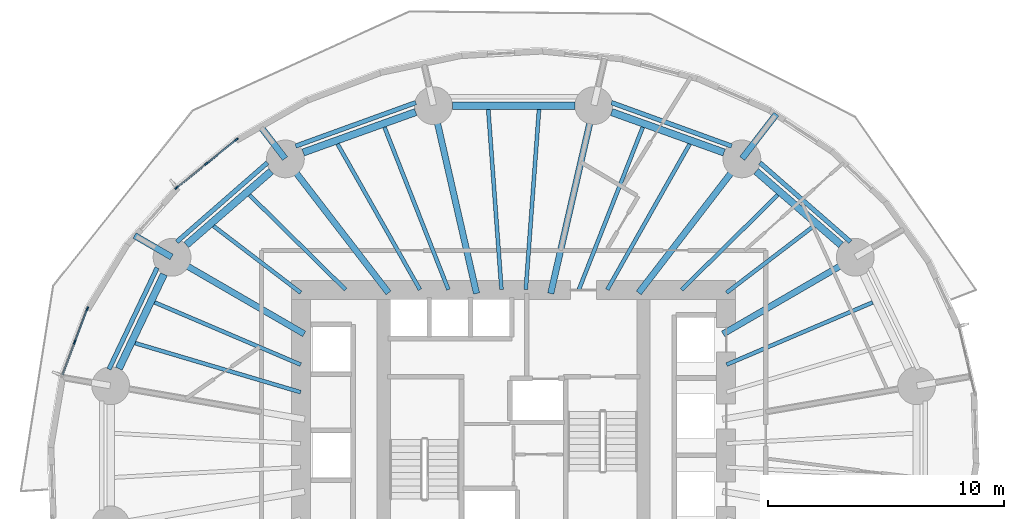
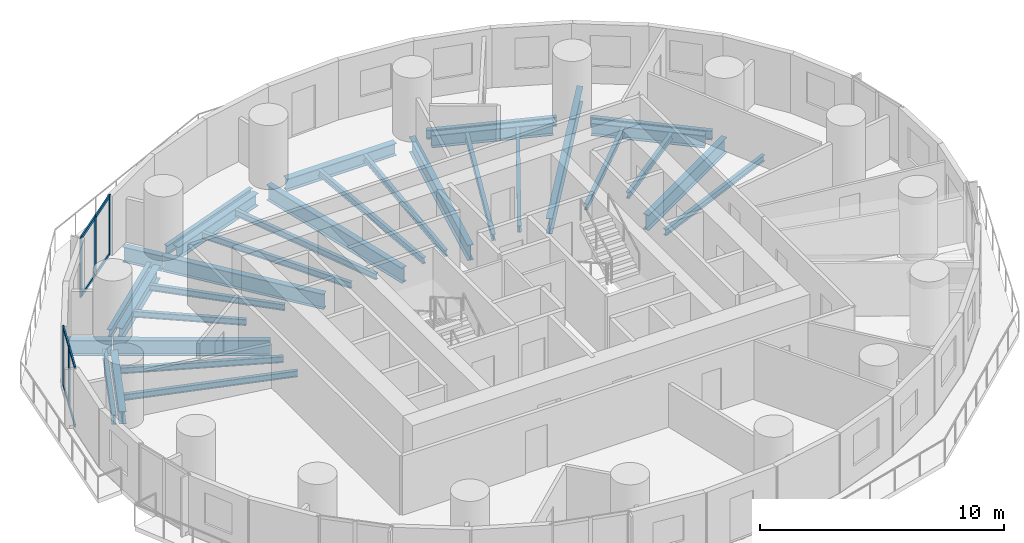
# One storey, part 4 of 14: 33 beams, 13 members, 2 elements without a shape of their own.
"""IFC4 building model written with IfcOpenShell, lengths in metres."""

from ifc_helpers import new_model, si_unit, direction, frame, origin, origin_2d, place, context, subcontext, project, spatial, rectangle, i_section, extrude, material, material_profile, profile_set, type_object, element, aggregate, save


model = new_model("IFC4")

# Units and contexts
model_context = context("Model", 3, precision=1e-05, world=origin(), true_north=direction((0.0, 1.0)))
body_context = subcontext(model_context, "Body", "Model", "MODEL_VIEW")
ifc_project = project(units=[si_unit("LENGTHUNIT", "METRE"), si_unit("AREAUNIT", "SQUARE_METRE"), si_unit("VOLUMEUNIT", "CUBIC_METRE"), si_unit("PLANEANGLEUNIT", "RADIAN"), si_unit("MASSUNIT", "GRAM", prefix="KILO")], contexts=[model_context])

# Site, building, storey
site_placement = place(None, origin())
site = spatial("IfcSite", under=ifc_project, at=site_placement, CompositionType="ELEMENT")
building_placement = place(site_placement, origin())
building = spatial("IfcBuilding", under=site, at=building_placement, Name="Veldorim Arch Residences", CompositionType="ELEMENT")
storey_placement = place(building_placement, frame((0.0, 0.0, 37.60009765625)))
storey = spatial("IfcBuildingStorey", under=building, at=storey_placement, Name="L10", CompositionType="ELEMENT", Elevation=37.60009765625)

# Beams
ifc_material_1 = material(Name="Steel S355", Category="steel")
ifc_material_profile_1 = material_profile(ifc_material_1, i_section(OverallWidth=0.30712890625, OverallDepth=0.6201171875, WebThickness=0.01416015625, FlangeThickness=0.023681640625, at=origin_2d()), Name="UB610x305x179")
ifc_profile_set_1 = profile_set([ifc_material_profile_1], Name="Steel S355")
beam_type_1 = type_object("IfcBeamType", Name="Structural Steel Beam UB610x305x179", PredefinedType="BEAM", material=ifc_profile_set_1)
beam_1_placement = place(storey_placement, frame((45.86328125, 32.913330078125, -0.55029296875), z_axis=(-0.755235029424, 0.655454079499, 0.0), x_axis=(-0.655454079499, -0.755235029424, 0.0)))
element("IfcBeam", 1, at=beam_1_placement, inside=storey, type_object=beam_type_1, Name="L10 perimeter ring tie beam 02", PredefinedType="BEAM", context=body_context, shape_type="SweptSolid", body=[
    extrude(i_section(OverallWidth=0.30712890625, OverallDepth=0.6201171875, WebThickness=0.01416015625, FlangeThickness=0.023681640625, at=origin_2d()), origin(), (0.0, 0.0, 1.0), 4.756591796875),
])
beam_2_placement = place(storey_placement, frame((40.9140625, 36.82568359375, -0.55029296875), z_axis=(-0.94103540046, 0.338308106732, 0.0), x_axis=(-0.338308106732, -0.94103540046, 0.0)))
element("IfcBeam", 2, at=beam_2_placement, inside=storey, type_object=beam_type_1, Name="L10 perimeter ring tie beam 03", PredefinedType="BEAM", context=body_context, shape_type="SweptSolid", body=[
    extrude(i_section(OverallWidth=0.30712890625, OverallDepth=0.6201171875, WebThickness=0.01416015625, FlangeThickness=0.023681640625, at=origin_2d()), origin(), (0.0, 0.0, 1.0), 5.065185546875),
])
beam_3_placement = place(storey_placement, frame((34.594482421875, 38.809814453125, -0.55029296875), z_axis=(-1.0, 0.0, 0.0), x_axis=(0.0, -1.0, 0.0)))
element("IfcBeam", 3, at=beam_3_placement, inside=storey, type_object=beam_type_1, Name="L10 perimeter ring tie beam 04", PredefinedType="BEAM", context=body_context, shape_type="SweptSolid", body=[
    extrude(i_section(OverallWidth=0.30712890625, OverallDepth=0.6201171875, WebThickness=0.01416015625, FlangeThickness=0.023681640625, at=origin_2d()), origin(), (0.0, 0.0, 1.0), 5.18896484375),
])
beam_4_placement = place(storey_placement, frame((27.8525390625, 38.539306640625, -0.55029296875), z_axis=(-0.94103540046, -0.338308106732, 0.0), x_axis=(0.338308106732, -0.94103540046, 0.0)))
element("IfcBeam", 4, at=beam_4_placement, inside=storey, type_object=beam_type_1, Name="L10 perimeter ring tie beam 05", PredefinedType="BEAM", context=body_context, shape_type="SweptSolid", body=[
    extrude(i_section(OverallWidth=0.30712890625, OverallDepth=0.6201171875, WebThickness=0.01416015625, FlangeThickness=0.023681640625, at=origin_2d()), origin(), (0.0, 0.0, 1.0), 5.065185546875),
])
beam_5_placement = place(storey_placement, frame((21.72900390625, 36.031005859375, -0.55029296875), z_axis=(-0.755235029424, -0.655454079499, 0.0), x_axis=(0.655454079499, -0.755235029424, 0.0)))
element("IfcBeam", 5, at=beam_5_placement, inside=storey, type_object=beam_type_1, Name="L10 perimeter ring tie beam 06", PredefinedType="BEAM", context=body_context, shape_type="SweptSolid", body=[
    extrude(i_section(OverallWidth=0.30712890625, OverallDepth=0.6201171875, WebThickness=0.01416015625, FlangeThickness=0.023681640625, at=origin_2d()), origin(), (0.0, 0.0, 1.0), 4.756591796875),
])
beam_6_placement = place(storey_placement, frame((17.187744140625, 31.6669921875, -0.55029296875), z_axis=(-0.430786696724, -0.902453778276, 0.0), x_axis=(0.902453778276, -0.430786696724, 0.0)))
element("IfcBeam", 6, at=beam_6_placement, inside=storey, type_object=beam_type_1, Name="L10 perimeter ring tie beam 07", PredefinedType="BEAM", context=body_context, shape_type="SweptSolid", body=[
    extrude(i_section(OverallWidth=0.30712890625, OverallDepth=0.6201171875, WebThickness=0.01416015625, FlangeThickness=0.023681640625, at=origin_2d()), origin(), (0.0, 0.0, 1.0), 4.431396484375),
])
ifc_material_2 = material(Name="Steel S355", Category="steel")
ifc_material_profile_2 = material_profile(ifc_material_2, i_section(OverallWidth=0.26806640625, OverallDepth=0.769775390625, WebThickness=0.015625, FlangeThickness=0.025390625, at=origin_2d()), Name="UB762x267x197")
ifc_profile_set_2 = profile_set([ifc_material_profile_2], Name="Steel S355")
beam_type_2 = type_object("IfcBeamType", Name="Structural Steel GIRDER UB762x267x197", PredefinedType="USERDEFINED", material=ifc_profile_set_2)
beam_7_placement = place(storey_placement, frame((40.8701171875, 29.1435546875, -0.625), z_axis=(0.865088348752, 0.501619525989, 0.0), x_axis=(-0.501619525989, 0.865088348752, 0.0)))
element("IfcBeam", 7, at=beam_7_placement, inside=storey, type_object=beam_type_2, Name="L10 radial floor girder 02", ObjectType="GIRDER", PredefinedType="USERDEFINED", context=body_context, shape_type="SweptSolid", body=[
    extrude(i_section(OverallWidth=0.26806640625, OverallDepth=0.769775390625, WebThickness=0.015625, FlangeThickness=0.025390625, at=origin_2d()), origin(), (0.0, 0.0, 1.0), 6.4501953125),
])
beam_8_placement = place(storey_placement, frame((37.298095703125, 30.881103515625, -0.625), z_axis=(0.610082439157, 0.792337943956, 0.0), x_axis=(-0.792337943956, 0.610082439157, 0.0)))
element("IfcBeam", 8, at=beam_8_placement, inside=storey, type_object=beam_type_2, Name="L10 radial floor girder 03", ObjectType="GIRDER", PredefinedType="USERDEFINED", context=body_context, shape_type="SweptSolid", body=[
    extrude(i_section(OverallWidth=0.26806640625, OverallDepth=0.769775390625, WebThickness=0.015625, FlangeThickness=0.025390625, at=origin_2d()), origin(), (0.0, 0.0, 1.0), 7.14111328125),
])
beam_9_placement = place(storey_placement, frame((41.67919921875, 36.571044921875, -0.625), z_axis=(0.610028458485, 0.792379504933, 0.0), x_axis=(-0.792379504933, 0.610028458485, 0.0)))
element("IfcBeam", 9, at=beam_9_placement, inside=storey, type_object=beam_type_2, Name="L10 radial edge cantilever girder 03", ObjectType="GIRDER", PredefinedType="USERDEFINED", context=body_context, shape_type="SweptSolid", body=[
    extrude(i_section(OverallWidth=0.26806640625, OverallDepth=0.769775390625, WebThickness=0.015625, FlangeThickness=0.025390625, at=origin_2d()), origin(), (0.0, 0.0, 1.0), 2.37646484375),
])
for number, where, z_axis, x_axis, name in (
    (10, (33.571044921875, 30.853759765625, -0.625), (0.223411766201, 0.974724157248, 0.0), (-0.974724157248, 0.223411766201, 0.0), "L10 radial floor girder 04"),
    (11, (30.428955078125, 30.853759765625, -0.625), (-0.223411766201, 0.974724157248, 0.0), (-0.974724157248, -0.223411766201, 0.0), "L10 radial floor girder 05"),
):
    element("IfcBeam", number, at=place(storey_placement, frame(where, z_axis=z_axis, x_axis=x_axis)), inside=storey, type_object=beam_type_2, Name=name, ObjectType="GIRDER", PredefinedType="USERDEFINED", context=body_context, shape_type="SweptSolid", body=[
        extrude(i_section(OverallWidth=0.26806640625, OverallDepth=0.769775390625, WebThickness=0.015625, FlangeThickness=0.025390625, at=origin_2d()), origin(), (0.0, 0.0, 1.0), 8.142333984375),
    ])
beam_10_placement = place(storey_placement, frame((26.701904296875, 30.881103515625, -0.625), z_axis=(-0.610082439157, 0.792337943956, 0.0), x_axis=(-0.792337943956, -0.610082439157, 0.0)))
element("IfcBeam", 12, at=beam_10_placement, inside=storey, type_object=beam_type_2, Name="L10 radial floor girder 06", ObjectType="GIRDER", PredefinedType="USERDEFINED", context=body_context, shape_type="SweptSolid", body=[
    extrude(i_section(OverallWidth=0.26806640625, OverallDepth=0.769775390625, WebThickness=0.015625, FlangeThickness=0.025390625, at=origin_2d()), origin(), (0.0, 0.0, 1.0), 7.14111328125),
])
beam_11_placement = place(storey_placement, frame((22.32080078125, 36.571044921875, -0.625), z_axis=(-0.610051931938, 0.792361432895, 0.0), x_axis=(-0.792361432895, -0.610051931938, 0.0)))
element("IfcBeam", 13, at=beam_11_placement, inside=storey, type_object=beam_type_2, Name="L10 radial edge cantilever girder 06", ObjectType="GIRDER", PredefinedType="USERDEFINED", context=body_context, shape_type="SweptSolid", body=[
    extrude(i_section(OverallWidth=0.26806640625, OverallDepth=0.769775390625, WebThickness=0.015625, FlangeThickness=0.025390625, at=origin_2d()), origin(), (0.0, 0.0, 1.0), 1.728759765625),
])
beam_12_placement = place(storey_placement, frame((23.1298828125, 29.1435546875, -0.625), z_axis=(-0.865088348752, 0.501619525989, 0.0), x_axis=(-0.501619525989, -0.865088348752, 0.0)))
element("IfcBeam", 14, at=beam_12_placement, inside=storey, type_object=beam_type_2, Name="L10 radial floor girder 07", ObjectType="GIRDER", PredefinedType="USERDEFINED", context=body_context, shape_type="SweptSolid", body=[
    extrude(i_section(OverallWidth=0.26806640625, OverallDepth=0.769775390625, WebThickness=0.015625, FlangeThickness=0.025390625, at=origin_2d()), origin(), (0.0, 0.0, 1.0), 6.4501953125),
])
beam_13_placement = place(storey_placement, frame((17.51513671875, 32.399169921875, -0.625), z_axis=(-0.86511292658, 0.501577136904, 0.0), x_axis=(-0.501577136904, -0.86511292658, 0.0)))
element("IfcBeam", 15, at=beam_13_placement, inside=storey, type_object=beam_type_2, Name="L10 radial edge cantilever girder 07", ObjectType="GIRDER", PredefinedType="USERDEFINED", context=body_context, shape_type="SweptSolid", body=[
    extrude(i_section(OverallWidth=0.26806640625, OverallDepth=0.769775390625, WebThickness=0.015625, FlangeThickness=0.025390625, at=origin_2d()), origin(), (0.0, 0.0, 1.0), 1.814697265625),
])
ifc_material_3 = material(Name="Steel S355", Category="steel")
ifc_material_profile_3 = material_profile(ifc_material_3, i_section(OverallWidth=0.165771484375, OverallDepth=0.306640625, WebThickness=0.006591796875, FlangeThickness=0.01171875, at=origin_2d()), Name="UB305x165x46")
ifc_profile_set_3 = profile_set([ifc_material_profile_3], Name="Steel S355")
beam_type_3 = type_object("IfcBeamType", Name="Structural Steel Joist UB305x165x46", PredefinedType="JOIST", material=ifc_profile_set_3)
beam_14_placement = place(storey_placement, frame((41.018310546875, 27.84130859375, -0.393310546875), z_axis=(0.920032948668, 0.391841005213, 0.0), x_axis=(-0.391841005213, 0.920032948668, 0.0)))
element("IfcBeam", 16, at=beam_14_placement, inside=storey, type_object=beam_type_3, Name="L10 secondary radial floor joist 01-2", PredefinedType="JOIST", context=body_context, shape_type="SweptSolid", body=[
    extrude(i_section(OverallWidth=0.165771484375, OverallDepth=0.306640625, WebThickness=0.006591796875, FlangeThickness=0.01171875, at=origin_2d()), origin(), (0.0, 0.0, 1.0), 6.723388671875),
])
beam_15_placement = place(storey_placement, frame((41.015869140625, 30.8876953125, -0.393310546875), z_axis=(0.794666431166, 0.607046343517, 0.0), x_axis=(-0.607046343517, 0.794666431166, 0.0)))
element("IfcBeam", 17, at=beam_15_placement, inside=storey, type_object=beam_type_3, Name="L10 secondary radial floor joist 02-1", PredefinedType="JOIST", context=body_context, shape_type="SweptSolid", body=[
    extrude(i_section(OverallWidth=0.165771484375, OverallDepth=0.306640625, WebThickness=0.006591796875, FlangeThickness=0.01171875, at=origin_2d()), origin(), (0.0, 0.0, 1.0), 4.646728515625),
])
beam_16_placement = place(storey_placement, frame((39.114990234375, 31.013916015625, -0.393310546875), z_axis=(0.712129078446, 0.702048556463, 0.0), x_axis=(-0.702048556463, 0.712129078446, 0.0)))
element("IfcBeam", 18, at=beam_16_placement, inside=storey, type_object=beam_type_3, Name="L10 secondary radial floor joist 02-2", PredefinedType="JOIST", context=body_context, shape_type="SweptSolid", body=[
    extrude(i_section(OverallWidth=0.165771484375, OverallDepth=0.306640625, WebThickness=0.006591796875, FlangeThickness=0.01171875, at=origin_2d()), origin(), (0.0, 0.0, 1.0), 5.715576171875),
])
beam_17_placement = place(storey_placement, frame((35.96875, 31.017333984375, -0.393310546875), z_axis=(0.492292335352, 0.870429926274, 0.0), x_axis=(-0.870429926274, 0.492292335352, 0.0)))
element("IfcBeam", 19, at=beam_17_placement, inside=storey, type_object=beam_type_3, Name="L10 secondary radial floor joist 03-1", PredefinedType="JOIST", context=body_context, shape_type="SweptSolid", body=[
    extrude(i_section(OverallWidth=0.165771484375, OverallDepth=0.306640625, WebThickness=0.006591796875, FlangeThickness=0.01171875, at=origin_2d()), origin(), (0.0, 0.0, 1.0), 7.083251953125),
])
beam_18_placement = place(storey_placement, frame((34.762451171875, 31.0185546875, -0.393310546875), z_axis=(0.366229833858, 0.930524426758, 0.0), x_axis=(-0.930524426758, 0.366229833858, 0.0)))
element("IfcBeam", 20, at=beam_18_placement, inside=storey, type_object=beam_type_3, Name="L10 secondary radial floor joist 03-2", PredefinedType="JOIST", context=body_context, shape_type="SweptSolid", body=[
    extrude(i_section(OverallWidth=0.165771484375, OverallDepth=0.306640625, WebThickness=0.006591796875, FlangeThickness=0.01171875, at=origin_2d()), origin(), (0.0, 0.0, 1.0), 7.3896484375),
])
for number, where, z_axis, x_axis, name in (
    (21, (32.514892578125, 31.02001953125, -0.393310546875), (0.073167620373, 0.997319657547, 0.0), (-0.997319657547, 0.073167620373, 0.0), "L10 secondary radial floor joist 04-1"),
    (22, (31.485107421875, 31.02001953125, -0.393310546875), (-0.073167620373, 0.997319657547, 0.0), (-0.997319657547, -0.073167620373, 0.0), "L10 secondary radial floor joist 04-2"),
):
    element("IfcBeam", number, at=place(storey_placement, frame(where, z_axis=z_axis, x_axis=x_axis)), inside=storey, type_object=beam_type_3, Name=name, PredefinedType="JOIST", context=body_context, shape_type="SweptSolid", body=[
        extrude(i_section(OverallWidth=0.165771484375, OverallDepth=0.306640625, WebThickness=0.006591796875, FlangeThickness=0.01171875, at=origin_2d()), origin(), (0.0, 0.0, 1.0), 7.651123046875),
    ])
beam_19_placement = place(storey_placement, frame((29.237548828125, 31.0185546875, -0.393310546875), z_axis=(-0.366229833858, 0.930524426758, 0.0), x_axis=(-0.930524426758, -0.366229833858, 0.0)))
element("IfcBeam", 23, at=beam_19_placement, inside=storey, type_object=beam_type_3, Name="L10 secondary radial floor joist 05-1", PredefinedType="JOIST", context=body_context, shape_type="SweptSolid", body=[
    extrude(i_section(OverallWidth=0.165771484375, OverallDepth=0.306640625, WebThickness=0.006591796875, FlangeThickness=0.01171875, at=origin_2d()), origin(), (0.0, 0.0, 1.0), 7.3896484375),
])
beam_20_placement = place(storey_placement, frame((28.03125, 31.017333984375, -0.393310546875), z_axis=(-0.492292335352, 0.870429926274, 0.0), x_axis=(-0.870429926274, -0.492292335352, 0.0)))
element("IfcBeam", 24, at=beam_20_placement, inside=storey, type_object=beam_type_3, Name="L10 secondary radial floor joist 05-2", PredefinedType="JOIST", context=body_context, shape_type="SweptSolid", body=[
    extrude(i_section(OverallWidth=0.165771484375, OverallDepth=0.306640625, WebThickness=0.006591796875, FlangeThickness=0.01171875, at=origin_2d()), origin(), (0.0, 0.0, 1.0), 7.083251953125),
])
beam_21_placement = place(storey_placement, frame((24.885009765625, 31.013916015625, -0.393310546875), z_axis=(-0.712129078446, 0.702048556463, 0.0), x_axis=(-0.702048556463, -0.712129078446, 0.0)))
element("IfcBeam", 25, at=beam_21_placement, inside=storey, type_object=beam_type_3, Name="L10 secondary radial floor joist 06-1", PredefinedType="JOIST", context=body_context, shape_type="SweptSolid", body=[
    extrude(i_section(OverallWidth=0.165771484375, OverallDepth=0.306640625, WebThickness=0.006591796875, FlangeThickness=0.01171875, at=origin_2d()), origin(), (0.0, 0.0, 1.0), 5.715576171875),
])
beam_22_placement = place(storey_placement, frame((22.984130859375, 30.8876953125, -0.393310546875), z_axis=(-0.794666431166, 0.607046343517, 0.0), x_axis=(-0.607046343517, -0.794666431166, 0.0)))
element("IfcBeam", 26, at=beam_22_placement, inside=storey, type_object=beam_type_3, Name="L10 secondary radial floor joist 06-2", PredefinedType="JOIST", context=body_context, shape_type="SweptSolid", body=[
    extrude(i_section(OverallWidth=0.165771484375, OverallDepth=0.306640625, WebThickness=0.006591796875, FlangeThickness=0.01171875, at=origin_2d()), origin(), (0.0, 0.0, 1.0), 4.646728515625),
])
beam_23_placement = place(storey_placement, frame((22.981689453125, 27.84130859375, -0.393310546875), z_axis=(-0.920032948668, 0.391841005213, 0.0), x_axis=(-0.391841005213, -0.920032948668, 0.0)))
element("IfcBeam", 27, at=beam_23_placement, inside=storey, type_object=beam_type_3, Name="L10 secondary radial floor joist 07-1", PredefinedType="JOIST", context=body_context, shape_type="SweptSolid", body=[
    extrude(i_section(OverallWidth=0.165771484375, OverallDepth=0.306640625, WebThickness=0.006591796875, FlangeThickness=0.01171875, at=origin_2d()), origin(), (0.0, 0.0, 1.0), 6.723388671875),
])
beam_24_placement = place(storey_placement, frame((22.980712890625, 26.67333984375, -0.393310546875), z_axis=(-0.958766778771, 0.284194060325, 0.0), x_axis=(-0.284194060325, -0.958766778771, 0.0)))
element("IfcBeam", 28, at=beam_24_placement, inside=storey, type_object=beam_type_3, Name="L10 secondary radial floor joist 07-2", PredefinedType="JOIST", context=body_context, shape_type="SweptSolid", body=[
    extrude(i_section(OverallWidth=0.165771484375, OverallDepth=0.306640625, WebThickness=0.006591796875, FlangeThickness=0.01171875, at=origin_2d()), origin(), (0.0, 0.0, 1.0), 7.3115234375),
])
ifc_material_4 = material(Name="Steel S355", Category="steel")
ifc_material_profile_4 = material_profile(ifc_material_4, i_section(OverallWidth=0.19140625, OverallDepth=0.4599609375, WebThickness=0.010009765625, FlangeThickness=0.01611328125, at=origin_2d()), Name="UB457x191x82")
ifc_profile_set_4 = profile_set([ifc_material_profile_4], Name="Steel S355")
beam_type_4 = type_object("IfcBeamType", Name="Structural Steel Spandrel UB457x191x82", PredefinedType="SPANDREL", material=ifc_profile_set_4)
beam_25_placement = place(storey_placement, frame((46.26611328125, 33.042724609375, -0.489990234375), z_axis=(-0.753250231024, 0.65773405679, 0.0), x_axis=(-0.65773405679, -0.753250231024, 0.0)))
element("IfcBeam", 29, at=beam_25_placement, inside=storey, type_object=beam_type_4, Name="L10 perimeter chord spandrel beam 02", PredefinedType="SPANDREL", context=body_context, shape_type="SweptSolid", body=[
    extrude(i_section(OverallWidth=0.19140625, OverallDepth=0.4599609375, WebThickness=0.010009765625, FlangeThickness=0.01611328125, at=origin_2d()), origin(), (0.0, 0.0, 1.0), 5.09423828125),
])
for number, where, z_axis, x_axis, name in (
    (30, (41.23681640625, 37.095947265625, -0.489990234375), (-0.940271320222, 0.340425974873, 0.0), (-0.340425974873, -0.940271320222, 0.0), "L10 perimeter chord spandrel beam 03"),
    (31, (27.8583984375, 38.940673828125, -0.489990234375), (-0.940271320222, -0.340425974873, 0.0), (0.340425974873, -0.940271320222, 0.0), "L10 perimeter chord spandrel beam 05"),
):
    element("IfcBeam", number, at=place(storey_placement, frame(where, z_axis=z_axis, x_axis=x_axis)), inside=storey, type_object=beam_type_4, Name=name, PredefinedType="SPANDREL", context=body_context, shape_type="SweptSolid", body=[
        extrude(i_section(OverallWidth=0.19140625, OverallDepth=0.4599609375, WebThickness=0.010009765625, FlangeThickness=0.01611328125, at=origin_2d()), origin(), (0.0, 0.0, 1.0), 5.4189453125),
    ])
beam_26_placement = place(storey_placement, frame((21.571044921875, 36.393310546875, -0.489990234375), z_axis=(-0.753250231024, -0.65773405679, 0.0), x_axis=(0.65773405679, -0.753250231024, 0.0)))
element("IfcBeam", 32, at=beam_26_placement, inside=storey, type_object=beam_type_4, Name="L10 perimeter chord spandrel beam 06", PredefinedType="SPANDREL", context=body_context, shape_type="SweptSolid", body=[
    extrude(i_section(OverallWidth=0.19140625, OverallDepth=0.4599609375, WebThickness=0.010009765625, FlangeThickness=0.01611328125, at=origin_2d()), origin(), (0.0, 0.0, 1.0), 5.09423828125),
])
beam_27_placement = place(storey_placement, frame((16.90185546875, 31.943603515625, -0.489990234375), z_axis=(-0.42886940858, -0.903366498374, 0.0), x_axis=(0.903366498374, -0.42886940858, 0.0)))
element("IfcBeam", 33, at=beam_27_placement, inside=storey, type_object=beam_type_4, Name="L10 perimeter chord spandrel beam 07", PredefinedType="SPANDREL", context=body_context, shape_type="SweptSolid", body=[
    extrude(i_section(OverallWidth=0.19140625, OverallDepth=0.4599609375, WebThickness=0.010009765625, FlangeThickness=0.01611328125, at=origin_2d()), origin(), (0.0, 0.0, 1.0), 4.7568359375),
])

# Curtain wall, members
ifc_material_5 = material(Name="Aluminium", Category="aluminium")
curtain_wall_type = type_object("IfcCurtainWallType", Name="Zone 1 Acoustic Low-E Unitised Curtain Wall", PredefinedType="NOTDEFINED", material=ifc_material_5)
curtain_wall_1_placement = place(storey_placement, origin())
curtain_wall_1 = element("IfcCurtainWall", 34, at=curtain_wall_1_placement, inside=storey, type_object=curtain_wall_type, Name="L10 unitised curtain wall bay 13", PredefinedType="NOTDEFINED")
ifc_material_6 = material(Name="Aluminium", Category="aluminium")
ifc_material_profile_5 = material_profile(ifc_material_6, rectangle(XDim=0.06494140625, YDim=0.175048828125, at=origin_2d()), Name="ALU_MUL_65x175")
ifc_profile_set_5 = profile_set([ifc_material_profile_5], Name="Aluminium")
member_type_1 = type_object("IfcMemberType", Name="Zone 1 Acoustic Low-E Unitised Curtain Wall Mullion 65x175", PredefinedType="MULLION", material=ifc_profile_set_5)
member_1_placement = place(storey_placement, frame((17.731689453125, 35.33740234375, 0.0), z_axis=(0.0, 0.0, 1.0), x_axis=(-0.627561647578, 0.77856687477, 0.0)))
member_1 = element("IfcMember", 35, at=member_1_placement, type_object=member_type_1, Name="CW-Z1 mullion 1", PredefinedType="MULLION", context=body_context, shape_type="SweptSolid", body=[
    extrude(rectangle(XDim=0.06494140625, YDim=0.175048828125, at=origin_2d()), origin(), (0.0, 0.0, 1.0), 2.9599609375),
])
member_2_placement = place(storey_placement, frame((18.99462890625, 36.355224609375, 0.0), z_axis=(0.0, 0.0, 1.0), x_axis=(-0.627561647578, 0.77856687477, 0.0)))
member_2 = element("IfcMember", 36, at=member_2_placement, type_object=member_type_1, Name="CW-Z1 mullion 2", PredefinedType="MULLION", context=body_context, shape_type="SweptSolid", body=[
    extrude(rectangle(XDim=0.06494140625, YDim=0.175048828125, at=origin_2d()), origin(), (0.0, 0.0, 1.0), 2.9599609375),
])
member_3_placement = place(storey_placement, frame((20.257568359375, 37.373291015625, 0.0), z_axis=(0.0, 0.0, 1.0), x_axis=(-0.627561647578, 0.77856687477, 0.0)))
member_3 = element("IfcMember", 37, at=member_3_placement, type_object=member_type_1, Name="CW-Z1 mullion 3", PredefinedType="MULLION", context=body_context, shape_type="SweptSolid", body=[
    extrude(rectangle(XDim=0.06494140625, YDim=0.175048828125, at=origin_2d()), origin(), (0.0, 0.0, 1.0), 2.9599609375),
])

curtain_wall_2_placement = place(storey_placement, origin())
curtain_wall_2 = element("IfcCurtainWall", 38, at=curtain_wall_2_placement, inside=storey, type_object=curtain_wall_type, Name="L10 unitised curtain wall bay 16", PredefinedType="NOTDEFINED")
member_4_placement = place(storey_placement, frame((13.410400390625, 28.794677734375, 0.0), z_axis=(0.0, 0.0, 1.0), x_axis=(-0.9356558675, 0.352913725454, 0.0)))
member_4 = element("IfcMember", 39, at=member_4_placement, type_object=member_type_1, Name="CW-Z1 mullion 2", PredefinedType="MULLION", context=body_context, shape_type="SweptSolid", body=[
    extrude(rectangle(XDim=0.06494140625, YDim=0.175048828125, at=origin_2d()), origin(), (0.0, 0.0, 1.0), 2.9599609375),
])
member_5_placement = place(storey_placement, frame((13.943115234375, 30.20703125, 0.0), z_axis=(0.0, 0.0, 1.0), x_axis=(-0.9356558675, 0.352913725454, 0.0)))
member_5 = element("IfcMember", 40, at=member_5_placement, type_object=member_type_1, Name="CW-Z1 mullion 3", PredefinedType="MULLION", context=body_context, shape_type="SweptSolid", body=[
    extrude(rectangle(XDim=0.06494140625, YDim=0.175048828125, at=origin_2d()), origin(), (0.0, 0.0, 1.0), 2.9599609375),
])

# Member
ifc_material_7 = material(Name="Aluminium", Category="aluminium")
ifc_material_profile_6 = material_profile(ifc_material_7, rectangle(XDim=0.06494140625, YDim=0.14990234375, at=origin_2d()), Name="ALU_TRN_65x150")
ifc_profile_set_6 = profile_set([ifc_material_profile_6], Name="Aluminium")
member_type_2 = type_object("IfcMemberType", Name="Zone 1 Acoustic Low-E Unitised Curtain Wall Transom 65x150", PredefinedType="USERDEFINED", material=ifc_profile_set_6)
member_6_placement = place(storey_placement, frame((17.757080078125, 35.357666015625, 0.032470703125), z_axis=(0.778492123333, 0.627654374563, 0.0), x_axis=(-0.627654374563, 0.778492123333, 0.0)))
member_6 = element("IfcMember", 41, at=member_6_placement, type_object=member_type_2, Name="CW-Z1 transom 1.1", ObjectType="TRANSOM", PredefinedType="USERDEFINED", context=body_context, shape_type="SweptSolid", body=[
    extrude(rectangle(XDim=0.06494140625, YDim=0.14990234375, at=origin_2d()), origin(), (0.0, 0.0, 1.0), 1.55712890625),
])

member_7_placement = place(storey_placement, frame((17.757080078125, 35.357666015625, 2.927490234375), z_axis=(0.778492123333, 0.627654374563, 0.0), x_axis=(-0.627654374563, 0.778492123333, 0.0)))
member_7 = element("IfcMember", 42, at=member_7_placement, type_object=member_type_2, Name="CW-Z1 transom 1.2", ObjectType="TRANSOM", PredefinedType="USERDEFINED", context=body_context, shape_type="SweptSolid", body=[
    extrude(rectangle(XDim=0.06494140625, YDim=0.14990234375, at=origin_2d()), origin(), (0.0, 0.0, 1.0), 1.55712890625),
])

member_8_placement = place(storey_placement, frame((19.02001953125, 36.375732421875, 0.032470703125), z_axis=(0.778568739358, 0.627559334322, 0.0), x_axis=(-0.627559334322, 0.778568739358, 0.0)))
member_8 = element("IfcMember", 43, at=member_8_placement, type_object=member_type_2, Name="CW-Z1 transom 2.1", ObjectType="TRANSOM", PredefinedType="USERDEFINED", context=body_context, shape_type="SweptSolid", body=[
    extrude(rectangle(XDim=0.06494140625, YDim=0.14990234375, at=origin_2d()), origin(), (0.0, 0.0, 1.0), 1.556884765625),
])

member_9_placement = place(storey_placement, frame((19.02001953125, 36.375732421875, 2.927490234375), z_axis=(0.778568739358, 0.627559334322, 0.0), x_axis=(-0.627559334322, 0.778568739358, 0.0)))
member_9 = element("IfcMember", 44, at=member_9_placement, type_object=member_type_2, Name="CW-Z1 transom 2.2", ObjectType="TRANSOM", PredefinedType="USERDEFINED", context=body_context, shape_type="SweptSolid", body=[
    extrude(rectangle(XDim=0.06494140625, YDim=0.14990234375, at=origin_2d()), origin(), (0.0, 0.0, 1.0), 1.556884765625),
])

aggregate(curtain_wall_1, [member_1, member_2, member_3, member_6, member_7, member_8, member_9])

member_10_placement = place(storey_placement, frame((12.88916015625, 27.41259765625, 0.032470703125), z_axis=(0.352845127387, 0.935681738669, 0.0), x_axis=(-0.935681738669, 0.352845127387, 0.0)))
member_10 = element("IfcMember", 45, at=member_10_placement, type_object=member_type_2, Name="CW-Z1 transom 1.1", ObjectType="TRANSOM", PredefinedType="USERDEFINED", context=body_context, shape_type="SweptSolid", body=[
    extrude(rectangle(XDim=0.06494140625, YDim=0.14990234375, at=origin_2d()), origin(), (0.0, 0.0, 1.0), 1.44482421875),
])

member_11_placement = place(storey_placement, frame((12.88916015625, 27.41259765625, 2.927490234375), z_axis=(0.352845127387, 0.935681738669, 0.0), x_axis=(-0.935681738669, 0.352845127387, 0.0)))
member_11 = element("IfcMember", 46, at=member_11_placement, type_object=member_type_2, Name="CW-Z1 transom 1.2", ObjectType="TRANSOM", PredefinedType="USERDEFINED", context=body_context, shape_type="SweptSolid", body=[
    extrude(rectangle(XDim=0.06494140625, YDim=0.14990234375, at=origin_2d()), origin(), (0.0, 0.0, 1.0), 1.44482421875),
])

member_12_placement = place(storey_placement, frame((13.421875, 28.8251953125, 0.032470703125), z_axis=(0.352900926809, 0.935660694834, 0.0), x_axis=(-0.935660694834, 0.352900926809, 0.0)))
member_12 = element("IfcMember", 47, at=member_12_placement, type_object=member_type_2, Name="CW-Z1 transom 2.1", ObjectType="TRANSOM", PredefinedType="USERDEFINED", context=body_context, shape_type="SweptSolid", body=[
    extrude(rectangle(XDim=0.06494140625, YDim=0.14990234375, at=origin_2d()), origin(), (0.0, 0.0, 1.0), 1.444580078125),
])

member_13_placement = place(storey_placement, frame((13.421875, 28.8251953125, 2.927490234375), z_axis=(0.352900926809, 0.935660694834, 0.0), x_axis=(-0.935660694834, 0.352900926809, 0.0)))
member_13 = element("IfcMember", 48, at=member_13_placement, type_object=member_type_2, Name="CW-Z1 transom 2.2", ObjectType="TRANSOM", PredefinedType="USERDEFINED", context=body_context, shape_type="SweptSolid", body=[
    extrude(rectangle(XDim=0.06494140625, YDim=0.14990234375, at=origin_2d()), origin(), (0.0, 0.0, 1.0), 1.444580078125),
])

aggregate(curtain_wall_2, [member_4, member_5, member_10, member_11, member_12, member_13])

save(model, "model.ifc")
